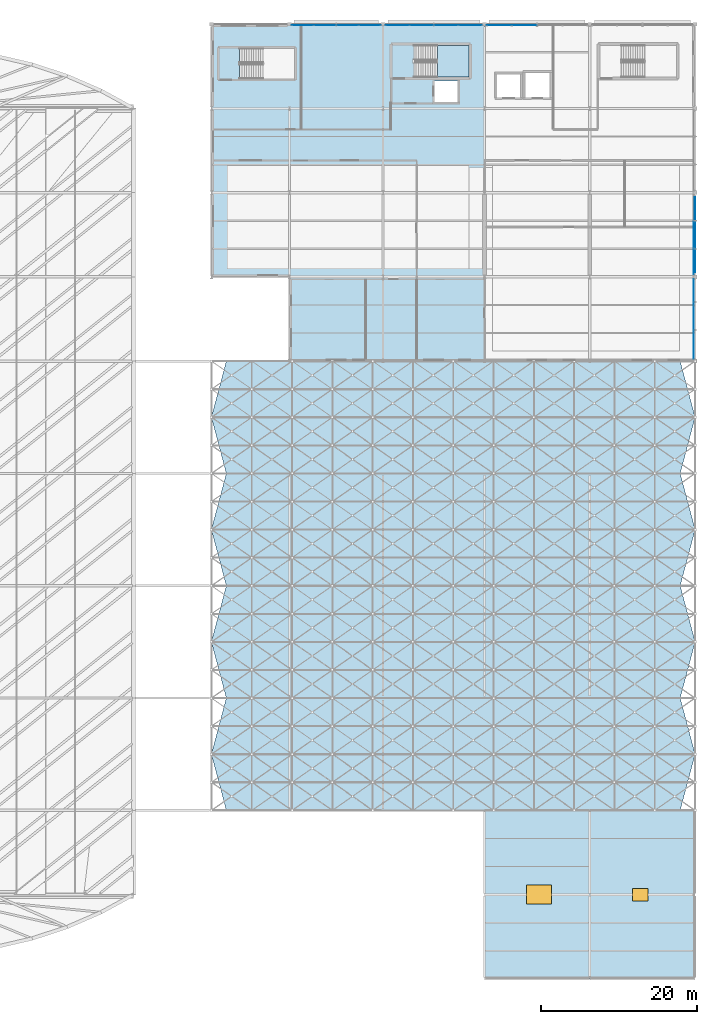
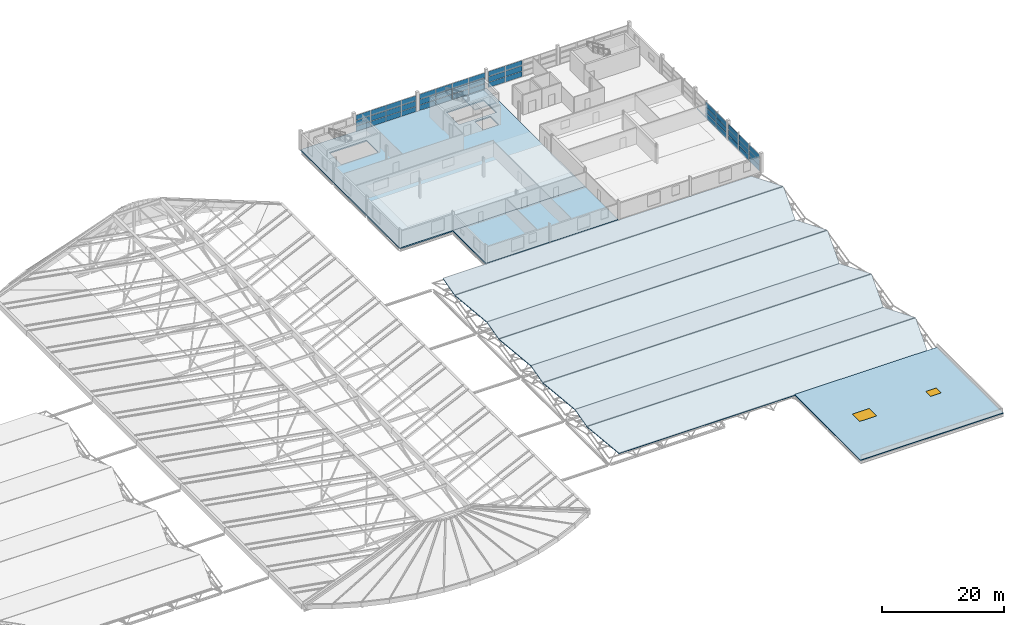
# One storey, part 71 of 110: 46 plates, 12 slabs, 2 windows, 2 openings, 6 elements without a shape of their own.
"""IFC4 building model written with IfcOpenShell, lengths in metres."""

from ifc_helpers import new_model, si_unit, direction, frame, origin, origin_2d, place, context, subcontext, project, spatial, polyline, rectangle, outline, extrude, material, layer, layer_set, type_object, element, fill, aggregate, save


model = new_model("IFC4")

# Units and contexts
model_context = context("Model", 3, precision=1e-05, world=origin(), true_north=direction((0.0, 1.0)))
body_context = subcontext(model_context, "Body", "Model", "MODEL_VIEW")
ifc_project = project(units=[si_unit("LENGTHUNIT", "METRE"), si_unit("AREAUNIT", "SQUARE_METRE"), si_unit("VOLUMEUNIT", "CUBIC_METRE"), si_unit("PLANEANGLEUNIT", "RADIAN"), si_unit("MASSUNIT", "GRAM", prefix="KILO")], contexts=[model_context])

# Site, building, storey
site_placement = place(None, origin())
site = spatial("IfcSite", under=ifc_project, at=site_placement, CompositionType="ELEMENT")
building_placement = place(site_placement, origin())
building = spatial("IfcBuilding", under=site, at=building_placement, Name="Tamarisk Ironworks Central Station", CompositionType="ELEMENT")
storey_placement = place(building_placement, frame((0.0, 0.0, 17.39990234375)))
storey = spatial("IfcBuildingStorey", under=building, at=storey_placement, Name="L03", CompositionType="ELEMENT", Elevation=17.39990234375)

# Curtain wall, plates
ifc_material_1 = material(Name="Anodized aluminium alloy 6063-T6", Category="aluminium")
ifc_layer_1 = layer(ifc_material_1, 0.179931640625)
ifc_layer_set_1 = layer_set([ifc_layer_1], Name="Anodized aluminium alloy 6063-T6")
curtain_wall_type_1 = type_object("IfcCurtainWallType", Name="CW-18", PredefinedType="USERDEFINED", material=ifc_layer_set_1)
curtain_wall_1_placement = place(storey_placement, origin())
curtain_wall_1 = element("IfcCurtainWall", 1, at=curtain_wall_1_placement, inside=storey, type_object=curtain_wall_type_1, Name="Operations L03 north facade curtain wall 128", ObjectType="GLAZED CURTAIN WALL", PredefinedType="USERDEFINED")
ifc_material_2 = material(Name="Laminated solar-control low-E glass", Category="glass")
ifc_layer_2 = layer(ifc_material_2, 0.028076171875)
ifc_layer_set_2 = layer_set([ifc_layer_2], Name="Laminated solar-control low-E glass")
plate_type_1 = type_object("IfcPlateType", Name="PL-CWP28", PredefinedType="CURTAIN_PANEL", material=ifc_layer_set_2)
plate_1_placement = place(storey_placement, frame((129.704833984375, 122.25, 0.069091796875), z_axis=(0.0, 0.0, 1.0), x_axis=(1.0, 0.0, 0.0)))
plate_1 = element("IfcPlate", 2, at=plate_1_placement, type_object=plate_type_1, Name="CW18 panel 1.1", PredefinedType="CURTAIN_PANEL", context=body_context, shape_type="SweptSolid", body=[
    extrude(rectangle(XDim=2.775390625, YDim=0.028076171875, at=origin_2d()), origin(), (0.0, 0.0, 1.0), 1.01953125),
])
plate_2_placement = place(storey_placement, frame((129.704833984375, 122.25, 1.15185546875), z_axis=(0.0, 0.0, 1.0), x_axis=(1.0, 0.0, 0.0)))
plate_2 = element("IfcPlate", 3, at=plate_2_placement, type_object=plate_type_1, Name="CW18 panel 1.2", PredefinedType="CURTAIN_PANEL", context=body_context, shape_type="SweptSolid", body=[
    extrude(rectangle(XDim=2.775390625, YDim=0.028076171875, at=origin_2d()), origin(), (0.0, 0.0, 1.0), 1.056884765625),
])
plate_3_placement = place(storey_placement, frame((129.704833984375, 122.25, 2.271484375), z_axis=(0.0, 0.0, 1.0), x_axis=(1.0, 0.0, 0.0)))
plate_3 = element("IfcPlate", 4, at=plate_3_placement, type_object=plate_type_1, Name="CW18 panel 1.3", PredefinedType="CURTAIN_PANEL", context=body_context, shape_type="SweptSolid", body=[
    extrude(rectangle(XDim=2.775390625, YDim=0.028076171875, at=origin_2d()), origin(), (0.0, 0.0, 1.0), 1.01953125),
])
plate_4_placement = place(storey_placement, frame((132.56201171875, 122.25, 0.069091796875), z_axis=(0.0, 0.0, 1.0), x_axis=(1.0, 0.0, 0.0)))
plate_4 = element("IfcPlate", 5, at=plate_4_placement, type_object=plate_type_1, Name="CW18 panel 2.1", PredefinedType="CURTAIN_PANEL", context=body_context, shape_type="SweptSolid", body=[
    extrude(rectangle(XDim=2.81298828125, YDim=0.028076171875, at=origin_2d()), origin(), (0.0, 0.0, 1.0), 1.01953125),
])
plate_5_placement = place(storey_placement, frame((132.56201171875, 122.25, 1.15185546875), z_axis=(0.0, 0.0, 1.0), x_axis=(1.0, 0.0, 0.0)))
plate_5 = element("IfcPlate", 6, at=plate_5_placement, type_object=plate_type_1, Name="CW18 panel 2.2", PredefinedType="CURTAIN_PANEL", context=body_context, shape_type="SweptSolid", body=[
    extrude(rectangle(XDim=2.81298828125, YDim=0.028076171875, at=origin_2d()), origin(), (0.0, 0.0, 1.0), 1.056884765625),
])
plate_6_placement = place(storey_placement, frame((132.56201171875, 122.25, 2.271484375), z_axis=(0.0, 0.0, 1.0), x_axis=(1.0, 0.0, 0.0)))
plate_6 = element("IfcPlate", 7, at=plate_6_placement, type_object=plate_type_1, Name="CW18 panel 2.3", PredefinedType="CURTAIN_PANEL", context=body_context, shape_type="SweptSolid", body=[
    extrude(rectangle(XDim=2.81298828125, YDim=0.028076171875, at=origin_2d()), origin(), (0.0, 0.0, 1.0), 1.01953125),
])
plate_7_placement = place(storey_placement, frame((135.43798828125, 122.25, 0.069091796875), z_axis=(0.0, 0.0, 1.0), x_axis=(1.0, 0.0, 0.0)))
plate_7 = element("IfcPlate", 8, at=plate_7_placement, type_object=plate_type_1, Name="CW18 panel 3.1", PredefinedType="CURTAIN_PANEL", context=body_context, shape_type="SweptSolid", body=[
    extrude(rectangle(XDim=2.81298828125, YDim=0.028076171875, at=origin_2d()), origin(), (0.0, 0.0, 1.0), 1.01953125),
])
plate_8_placement = place(storey_placement, frame((135.43798828125, 122.25, 1.15185546875), z_axis=(0.0, 0.0, 1.0), x_axis=(1.0, 0.0, 0.0)))
plate_8 = element("IfcPlate", 9, at=plate_8_placement, type_object=plate_type_1, Name="CW18 panel 3.2", PredefinedType="CURTAIN_PANEL", context=body_context, shape_type="SweptSolid", body=[
    extrude(rectangle(XDim=2.81298828125, YDim=0.028076171875, at=origin_2d()), origin(), (0.0, 0.0, 1.0), 1.056884765625),
])
plate_9_placement = place(storey_placement, frame((135.43798828125, 122.25, 2.271484375), z_axis=(0.0, 0.0, 1.0), x_axis=(1.0, 0.0, 0.0)))
plate_9 = element("IfcPlate", 10, at=plate_9_placement, type_object=plate_type_1, Name="CW18 panel 3.3", PredefinedType="CURTAIN_PANEL", context=body_context, shape_type="SweptSolid", body=[
    extrude(rectangle(XDim=2.81298828125, YDim=0.028076171875, at=origin_2d()), origin(), (0.0, 0.0, 1.0), 1.01953125),
])
plate_10_placement = place(storey_placement, frame((138.295166015625, 122.25, 0.069091796875), z_axis=(0.0, 0.0, 1.0), x_axis=(1.0, 0.0, 0.0)))
plate_10 = element("IfcPlate", 11, at=plate_10_placement, type_object=plate_type_1, Name="CW18 panel 4.1", PredefinedType="CURTAIN_PANEL", context=body_context, shape_type="SweptSolid", body=[
    extrude(rectangle(XDim=2.775390625, YDim=0.028076171875, at=origin_2d()), origin(), (0.0, 0.0, 1.0), 1.01953125),
])
plate_11_placement = place(storey_placement, frame((138.295166015625, 122.25, 1.15185546875), z_axis=(0.0, 0.0, 1.0), x_axis=(1.0, 0.0, 0.0)))
plate_11 = element("IfcPlate", 12, at=plate_11_placement, type_object=plate_type_1, Name="CW18 panel 4.2", PredefinedType="CURTAIN_PANEL", context=body_context, shape_type="SweptSolid", body=[
    extrude(rectangle(XDim=2.775390625, YDim=0.028076171875, at=origin_2d()), origin(), (0.0, 0.0, 1.0), 1.056884765625),
])
plate_12_placement = place(storey_placement, frame((138.295166015625, 122.25, 2.271484375), z_axis=(0.0, 0.0, 1.0), x_axis=(1.0, 0.0, 0.0)))
plate_12 = element("IfcPlate", 13, at=plate_12_placement, type_object=plate_type_1, Name="CW18 panel 4.3", PredefinedType="CURTAIN_PANEL", context=body_context, shape_type="SweptSolid", body=[
    extrude(rectangle(XDim=2.775390625, YDim=0.028076171875, at=origin_2d()), origin(), (0.0, 0.0, 1.0), 1.01953125),
])
aggregate(curtain_wall_1, [plate_1, plate_2, plate_3, plate_4, plate_5, plate_6, plate_7, plate_8, plate_9, plate_10, plate_11, plate_12])

curtain_wall_2_placement = place(storey_placement, origin())
curtain_wall_2 = element("IfcCurtainWall", 14, at=curtain_wall_2_placement, inside=storey, type_object=curtain_wall_type_1, Name="Operations L03 north facade curtain wall 140", ObjectType="GLAZED CURTAIN WALL", PredefinedType="USERDEFINED")
plate_13_placement = place(storey_placement, frame((141.829833984375, 122.25, 0.069091796875), z_axis=(0.0, 0.0, 1.0), x_axis=(1.0, 0.0, 0.0)))
plate_13 = element("IfcPlate", 15, at=plate_13_placement, type_object=plate_type_1, Name="CW18 panel 1.1", PredefinedType="CURTAIN_PANEL", context=body_context, shape_type="SweptSolid", body=[
    extrude(rectangle(XDim=3.025390625, YDim=0.028076171875, at=origin_2d()), origin(), (0.0, 0.0, 1.0), 1.01953125),
])
plate_14_placement = place(storey_placement, frame((141.829833984375, 122.25, 1.15185546875), z_axis=(0.0, 0.0, 1.0), x_axis=(1.0, 0.0, 0.0)))
plate_14 = element("IfcPlate", 16, at=plate_14_placement, type_object=plate_type_1, Name="CW18 panel 1.2", PredefinedType="CURTAIN_PANEL", context=body_context, shape_type="SweptSolid", body=[
    extrude(rectangle(XDim=3.025390625, YDim=0.028076171875, at=origin_2d()), origin(), (0.0, 0.0, 1.0), 1.056884765625),
])
plate_15_placement = place(storey_placement, frame((141.829833984375, 122.25, 2.271484375), z_axis=(0.0, 0.0, 1.0), x_axis=(1.0, 0.0, 0.0)))
plate_15 = element("IfcPlate", 17, at=plate_15_placement, type_object=plate_type_1, Name="CW18 panel 1.3", PredefinedType="CURTAIN_PANEL", context=body_context, shape_type="SweptSolid", body=[
    extrude(rectangle(XDim=3.025390625, YDim=0.028076171875, at=origin_2d()), origin(), (0.0, 0.0, 1.0), 1.01953125),
])
plate_16_placement = place(storey_placement, frame((144.93701171875, 122.25, 0.069091796875), z_axis=(0.0, 0.0, 1.0), x_axis=(1.0, 0.0, 0.0)))
plate_16 = element("IfcPlate", 18, at=plate_16_placement, type_object=plate_type_1, Name="CW18 panel 2.1", PredefinedType="CURTAIN_PANEL", context=body_context, shape_type="SweptSolid", body=[
    extrude(rectangle(XDim=3.06298828125, YDim=0.028076171875, at=origin_2d()), origin(), (0.0, 0.0, 1.0), 1.01953125),
])
plate_17_placement = place(storey_placement, frame((144.93701171875, 122.25, 1.15185546875), z_axis=(0.0, 0.0, 1.0), x_axis=(1.0, 0.0, 0.0)))
plate_17 = element("IfcPlate", 19, at=plate_17_placement, type_object=plate_type_1, Name="CW18 panel 2.2", PredefinedType="CURTAIN_PANEL", context=body_context, shape_type="SweptSolid", body=[
    extrude(rectangle(XDim=3.06298828125, YDim=0.028076171875, at=origin_2d()), origin(), (0.0, 0.0, 1.0), 1.056884765625),
])
plate_18_placement = place(storey_placement, frame((144.93701171875, 122.25, 2.271484375), z_axis=(0.0, 0.0, 1.0), x_axis=(1.0, 0.0, 0.0)))
plate_18 = element("IfcPlate", 20, at=plate_18_placement, type_object=plate_type_1, Name="CW18 panel 2.3", PredefinedType="CURTAIN_PANEL", context=body_context, shape_type="SweptSolid", body=[
    extrude(rectangle(XDim=3.06298828125, YDim=0.028076171875, at=origin_2d()), origin(), (0.0, 0.0, 1.0), 1.01953125),
])
plate_19_placement = place(storey_placement, frame((148.06298828125, 122.25, 0.069091796875), z_axis=(0.0, 0.0, 1.0), x_axis=(1.0, 0.0, 0.0)))
plate_19 = element("IfcPlate", 21, at=plate_19_placement, type_object=plate_type_1, Name="CW18 panel 3.1", PredefinedType="CURTAIN_PANEL", context=body_context, shape_type="SweptSolid", body=[
    extrude(rectangle(XDim=3.06298828125, YDim=0.028076171875, at=origin_2d()), origin(), (0.0, 0.0, 1.0), 1.01953125),
])
plate_20_placement = place(storey_placement, frame((148.06298828125, 122.25, 1.15185546875), z_axis=(0.0, 0.0, 1.0), x_axis=(1.0, 0.0, 0.0)))
plate_20 = element("IfcPlate", 22, at=plate_20_placement, type_object=plate_type_1, Name="CW18 panel 3.2", PredefinedType="CURTAIN_PANEL", context=body_context, shape_type="SweptSolid", body=[
    extrude(rectangle(XDim=3.06298828125, YDim=0.028076171875, at=origin_2d()), origin(), (0.0, 0.0, 1.0), 1.056884765625),
])
plate_21_placement = place(storey_placement, frame((148.06298828125, 122.25, 2.271484375), z_axis=(0.0, 0.0, 1.0), x_axis=(1.0, 0.0, 0.0)))
plate_21 = element("IfcPlate", 23, at=plate_21_placement, type_object=plate_type_1, Name="CW18 panel 3.3", PredefinedType="CURTAIN_PANEL", context=body_context, shape_type="SweptSolid", body=[
    extrude(rectangle(XDim=3.06298828125, YDim=0.028076171875, at=origin_2d()), origin(), (0.0, 0.0, 1.0), 1.01953125),
])
plate_22_placement = place(storey_placement, frame((151.170166015625, 122.25, 0.069091796875), z_axis=(0.0, 0.0, 1.0), x_axis=(1.0, 0.0, 0.0)))
plate_22 = element("IfcPlate", 24, at=plate_22_placement, type_object=plate_type_1, Name="CW18 panel 4.1", PredefinedType="CURTAIN_PANEL", context=body_context, shape_type="SweptSolid", body=[
    extrude(rectangle(XDim=3.025390625, YDim=0.028076171875, at=origin_2d()), origin(), (0.0, 0.0, 1.0), 1.01953125),
])
plate_23_placement = place(storey_placement, frame((151.170166015625, 122.25, 1.15185546875), z_axis=(0.0, 0.0, 1.0), x_axis=(1.0, 0.0, 0.0)))
plate_23 = element("IfcPlate", 25, at=plate_23_placement, type_object=plate_type_1, Name="CW18 panel 4.2", PredefinedType="CURTAIN_PANEL", context=body_context, shape_type="SweptSolid", body=[
    extrude(rectangle(XDim=3.025390625, YDim=0.028076171875, at=origin_2d()), origin(), (0.0, 0.0, 1.0), 1.056884765625),
])
plate_24_placement = place(storey_placement, frame((151.170166015625, 122.25, 2.271484375), z_axis=(0.0, 0.0, 1.0), x_axis=(1.0, 0.0, 0.0)))
plate_24 = element("IfcPlate", 26, at=plate_24_placement, type_object=plate_type_1, Name="CW18 panel 4.3", PredefinedType="CURTAIN_PANEL", context=body_context, shape_type="SweptSolid", body=[
    extrude(rectangle(XDim=3.025390625, YDim=0.028076171875, at=origin_2d()), origin(), (0.0, 0.0, 1.0), 1.01953125),
])
aggregate(curtain_wall_2, [plate_13, plate_14, plate_15, plate_16, plate_17, plate_18, plate_19, plate_20, plate_21, plate_22, plate_23, plate_24])

curtain_wall_3_placement = place(storey_placement, origin())
curtain_wall_3 = element("IfcCurtainWall", 27, at=curtain_wall_3_placement, inside=storey, type_object=curtain_wall_type_1, Name="Operations L03 north facade curtain wall 153", ObjectType="GLAZED CURTAIN WALL", PredefinedType="USERDEFINED")
plate_25_placement = place(storey_placement, frame((154.892333984375, 122.25, 0.069091796875), z_axis=(0.0, 0.0, 1.0), x_axis=(1.0, 0.0, 0.0)))
plate_25 = element("IfcPlate", 28, at=plate_25_placement, type_object=plate_type_1, Name="CW18 panel 1.1", PredefinedType="CURTAIN_PANEL", context=body_context, shape_type="SweptSolid", body=[
    extrude(rectangle(XDim=3.150390625, YDim=0.028076171875, at=origin_2d()), origin(), (0.0, 0.0, 1.0), 1.01953125),
])
plate_26_placement = place(storey_placement, frame((154.892333984375, 122.25, 1.15185546875), z_axis=(0.0, 0.0, 1.0), x_axis=(1.0, 0.0, 0.0)))
plate_26 = element("IfcPlate", 29, at=plate_26_placement, type_object=plate_type_1, Name="CW18 panel 1.2", PredefinedType="CURTAIN_PANEL", context=body_context, shape_type="SweptSolid", body=[
    extrude(rectangle(XDim=3.150390625, YDim=0.028076171875, at=origin_2d()), origin(), (0.0, 0.0, 1.0), 1.056884765625),
])
plate_27_placement = place(storey_placement, frame((154.892333984375, 122.25, 2.271484375), z_axis=(0.0, 0.0, 1.0), x_axis=(1.0, 0.0, 0.0)))
plate_27 = element("IfcPlate", 30, at=plate_27_placement, type_object=plate_type_1, Name="CW18 panel 1.3", PredefinedType="CURTAIN_PANEL", context=body_context, shape_type="SweptSolid", body=[
    extrude(rectangle(XDim=3.150390625, YDim=0.028076171875, at=origin_2d()), origin(), (0.0, 0.0, 1.0), 1.01953125),
])
plate_28_placement = place(storey_placement, frame((158.12451171875, 122.25, 0.069091796875), z_axis=(0.0, 0.0, 1.0), x_axis=(1.0, 0.0, 0.0)))
plate_28 = element("IfcPlate", 31, at=plate_28_placement, type_object=plate_type_1, Name="CW18 panel 2.1", PredefinedType="CURTAIN_PANEL", context=body_context, shape_type="SweptSolid", body=[
    extrude(rectangle(XDim=3.18798828125, YDim=0.028076171875, at=origin_2d()), origin(), (0.0, 0.0, 1.0), 1.01953125),
])
plate_29_placement = place(storey_placement, frame((158.12451171875, 122.25, 1.15185546875), z_axis=(0.0, 0.0, 1.0), x_axis=(1.0, 0.0, 0.0)))
plate_29 = element("IfcPlate", 32, at=plate_29_placement, type_object=plate_type_1, Name="CW18 panel 2.2", PredefinedType="CURTAIN_PANEL", context=body_context, shape_type="SweptSolid", body=[
    extrude(rectangle(XDim=3.18798828125, YDim=0.028076171875, at=origin_2d()), origin(), (0.0, 0.0, 1.0), 1.056884765625),
])
plate_30_placement = place(storey_placement, frame((158.12451171875, 122.25, 2.271484375), z_axis=(0.0, 0.0, 1.0), x_axis=(1.0, 0.0, 0.0)))
plate_30 = element("IfcPlate", 33, at=plate_30_placement, type_object=plate_type_1, Name="CW18 panel 2.3", PredefinedType="CURTAIN_PANEL", context=body_context, shape_type="SweptSolid", body=[
    extrude(rectangle(XDim=3.18798828125, YDim=0.028076171875, at=origin_2d()), origin(), (0.0, 0.0, 1.0), 1.01953125),
])
aggregate(curtain_wall_3, [plate_25, plate_26, plate_27, plate_28, plate_29, plate_30])

ifc_layer_3 = layer(ifc_material_1, 0.179931640625)
ifc_layer_set_3 = layer_set([ifc_layer_3], Name="Anodized aluminium alloy 6063-T6")
curtain_wall_type_2 = type_object("IfcCurtainWallType", Name="CW-21", PredefinedType="USERDEFINED", material=ifc_layer_set_3)
curtain_wall_4_placement = place(storey_placement, origin())
curtain_wall_4 = element("IfcCurtainWall", 34, at=curtain_wall_4_placement, inside=storey, type_object=curtain_wall_type_2, Name="Operations L03 east facade curtain wall 079", ObjectType="GLAZED CURTAIN WALL", PredefinedType="USERDEFINED")
plate_31_placement = place(storey_placement, frame((179.85009765625, 81.18408203125, 0.069091796875), z_axis=(0.0, 0.0, 1.0), x_axis=(0.0, 1.0, 0.0)))
plate_31 = element("IfcPlate", 35, at=plate_31_placement, type_object=plate_type_1, Name="CW21 panel 1.1", PredefinedType="CURTAIN_PANEL", context=body_context, shape_type="SweptSolid", body=[
    extrude(rectangle(XDim=3.334228515625, YDim=0.028076171875, at=origin_2d()), origin(), (0.0, 0.0, 1.0), 1.01953125),
])
plate_32_placement = place(storey_placement, frame((179.85009765625, 81.18408203125, 1.15185546875), z_axis=(0.0, 0.0, 1.0), x_axis=(0.0, 1.0, 0.0)))
plate_32 = element("IfcPlate", 36, at=plate_32_placement, type_object=plate_type_1, Name="CW21 panel 1.2", PredefinedType="CURTAIN_PANEL", context=body_context, shape_type="SweptSolid", body=[
    extrude(rectangle(XDim=3.334228515625, YDim=0.028076171875, at=origin_2d()), origin(), (0.0, 0.0, 1.0), 1.056884765625),
])
plate_33_placement = place(storey_placement, frame((179.85009765625, 81.18408203125, 2.271484375), z_axis=(0.0, 0.0, 1.0), x_axis=(0.0, 1.0, 0.0)))
plate_33 = element("IfcPlate", 37, at=plate_33_placement, type_object=plate_type_1, Name="CW21 panel 1.3", PredefinedType="CURTAIN_PANEL", context=body_context, shape_type="SweptSolid", body=[
    extrude(rectangle(XDim=3.334228515625, YDim=0.028076171875, at=origin_2d()), origin(), (0.0, 0.0, 1.0), 1.01953125),
])
plate_34_placement = place(storey_placement, frame((179.85009765625, 84.60009765625, 0.069091796875), z_axis=(0.0, 0.0, 1.0), x_axis=(0.0, 1.0, 0.0)))
plate_34 = element("IfcPlate", 38, at=plate_34_placement, type_object=plate_type_1, Name="CW21 panel 2.1", PredefinedType="CURTAIN_PANEL", context=body_context, shape_type="SweptSolid", body=[
    extrude(rectangle(XDim=3.37158203125, YDim=0.028076171875, at=origin_2d()), origin(), (0.0, 0.0, 1.0), 1.01953125),
])
plate_35_placement = place(storey_placement, frame((179.85009765625, 84.60009765625, 1.15185546875), z_axis=(0.0, 0.0, 1.0), x_axis=(0.0, 1.0, 0.0)))
plate_35 = element("IfcPlate", 39, at=plate_35_placement, type_object=plate_type_1, Name="CW21 panel 2.2", PredefinedType="CURTAIN_PANEL", context=body_context, shape_type="SweptSolid", body=[
    extrude(rectangle(XDim=3.37158203125, YDim=0.028076171875, at=origin_2d()), origin(), (0.0, 0.0, 1.0), 1.056884765625),
])
plate_36_placement = place(storey_placement, frame((179.85009765625, 84.60009765625, 2.271484375), z_axis=(0.0, 0.0, 1.0), x_axis=(0.0, 1.0, 0.0)))
plate_36 = element("IfcPlate", 40, at=plate_36_placement, type_object=plate_type_1, Name="CW21 panel 2.3", PredefinedType="CURTAIN_PANEL", context=body_context, shape_type="SweptSolid", body=[
    extrude(rectangle(XDim=3.37158203125, YDim=0.028076171875, at=origin_2d()), origin(), (0.0, 0.0, 1.0), 1.01953125),
])
plate_37_placement = place(storey_placement, frame((179.85009765625, 88.015869140625, 0.069091796875), z_axis=(0.0, 0.0, 1.0), x_axis=(0.0, 1.0, 0.0)))
plate_37 = element("IfcPlate", 41, at=plate_37_placement, type_object=plate_type_1, Name="CW21 panel 3.1", PredefinedType="CURTAIN_PANEL", context=body_context, shape_type="SweptSolid", body=[
    extrude(rectangle(XDim=3.334228515625, YDim=0.028076171875, at=origin_2d()), origin(), (0.0, 0.0, 1.0), 1.01953125),
])
plate_38_placement = place(storey_placement, frame((179.85009765625, 88.015869140625, 1.15185546875), z_axis=(0.0, 0.0, 1.0), x_axis=(0.0, 1.0, 0.0)))
plate_38 = element("IfcPlate", 42, at=plate_38_placement, type_object=plate_type_1, Name="CW21 panel 3.2", PredefinedType="CURTAIN_PANEL", context=body_context, shape_type="SweptSolid", body=[
    extrude(rectangle(XDim=3.334228515625, YDim=0.028076171875, at=origin_2d()), origin(), (0.0, 0.0, 1.0), 1.056884765625),
])
plate_39_placement = place(storey_placement, frame((179.85009765625, 88.015869140625, 2.271484375), z_axis=(0.0, 0.0, 1.0), x_axis=(0.0, 1.0, 0.0)))
plate_39 = element("IfcPlate", 43, at=plate_39_placement, type_object=plate_type_1, Name="CW21 panel 3.3", PredefinedType="CURTAIN_PANEL", context=body_context, shape_type="SweptSolid", body=[
    extrude(rectangle(XDim=3.334228515625, YDim=0.028076171875, at=origin_2d()), origin(), (0.0, 0.0, 1.0), 1.01953125),
])
aggregate(curtain_wall_4, [plate_31, plate_32, plate_33, plate_34, plate_35, plate_36, plate_37, plate_38, plate_39])

curtain_wall_5_placement = place(storey_placement, origin())
curtain_wall_5 = element("IfcCurtainWall", 44, at=curtain_wall_5_placement, inside=storey, type_object=curtain_wall_type_2, Name="Operations L03 east facade curtain wall 090", ObjectType="GLAZED CURTAIN WALL", PredefinedType="USERDEFINED")
plate_40_placement = place(storey_placement, frame((179.85009765625, 91.984130859375, 0.069091796875), z_axis=(0.0, 0.0, 1.0), x_axis=(0.0, 1.0, 0.0)))
plate_40 = element("IfcPlate", 45, at=plate_40_placement, type_object=plate_type_1, Name="CW21 panel 1.1", PredefinedType="CURTAIN_PANEL", context=body_context, shape_type="SweptSolid", body=[
    extrude(rectangle(XDim=3.334228515625, YDim=0.028076171875, at=origin_2d()), origin(), (0.0, 0.0, 1.0), 1.01953125),
])
plate_41_placement = place(storey_placement, frame((179.85009765625, 91.984130859375, 1.15185546875), z_axis=(0.0, 0.0, 1.0), x_axis=(0.0, 1.0, 0.0)))
plate_41 = element("IfcPlate", 46, at=plate_41_placement, type_object=plate_type_1, Name="CW21 panel 1.2", PredefinedType="CURTAIN_PANEL", context=body_context, shape_type="SweptSolid", body=[
    extrude(rectangle(XDim=3.334228515625, YDim=0.028076171875, at=origin_2d()), origin(), (0.0, 0.0, 1.0), 1.056884765625),
])
plate_42_placement = place(storey_placement, frame((179.85009765625, 91.984130859375, 2.271484375), z_axis=(0.0, 0.0, 1.0), x_axis=(0.0, 1.0, 0.0)))
plate_42 = element("IfcPlate", 47, at=plate_42_placement, type_object=plate_type_1, Name="CW21 panel 1.3", PredefinedType="CURTAIN_PANEL", context=body_context, shape_type="SweptSolid", body=[
    extrude(rectangle(XDim=3.334228515625, YDim=0.028076171875, at=origin_2d()), origin(), (0.0, 0.0, 1.0), 1.01953125),
])
plate_43_placement = place(storey_placement, frame((179.85009765625, 95.39990234375, 0.069091796875), z_axis=(0.0, 0.0, 1.0), x_axis=(0.0, 1.0, 0.0)))
plate_43 = element("IfcPlate", 48, at=plate_43_placement, type_object=plate_type_1, Name="CW21 panel 2.1", PredefinedType="CURTAIN_PANEL", context=body_context, shape_type="SweptSolid", body=[
    extrude(rectangle(XDim=3.37158203125, YDim=0.028076171875, at=origin_2d()), origin(), (0.0, 0.0, 1.0), 1.01953125),
])
plate_44_placement = place(storey_placement, frame((179.85009765625, 95.39990234375, 1.15185546875), z_axis=(0.0, 0.0, 1.0), x_axis=(0.0, 1.0, 0.0)))
plate_44 = element("IfcPlate", 49, at=plate_44_placement, type_object=plate_type_1, Name="CW21 panel 2.2", PredefinedType="CURTAIN_PANEL", context=body_context, shape_type="SweptSolid", body=[
    extrude(rectangle(XDim=3.37158203125, YDim=0.028076171875, at=origin_2d()), origin(), (0.0, 0.0, 1.0), 1.056884765625),
])
plate_45_placement = place(storey_placement, frame((179.85009765625, 95.39990234375, 2.271484375), z_axis=(0.0, 0.0, 1.0), x_axis=(0.0, 1.0, 0.0)))
plate_45 = element("IfcPlate", 50, at=plate_45_placement, type_object=plate_type_1, Name="CW21 panel 2.3", PredefinedType="CURTAIN_PANEL", context=body_context, shape_type="SweptSolid", body=[
    extrude(rectangle(XDim=3.37158203125, YDim=0.028076171875, at=origin_2d()), origin(), (0.0, 0.0, 1.0), 1.01953125),
])
aggregate(curtain_wall_5, [plate_40, plate_41, plate_42, plate_43, plate_44, plate_45])

# Plate
ifc_layer_4 = layer(ifc_material_1, 0.008056640625)
ifc_layer_set_4 = layer_set([ifc_layer_4], Name="Anodized aluminium alloy 6063-T6")
plate_type_2 = type_object("IfcPlateType", Name="PL-SP08", PredefinedType="SHEET", material=ifc_layer_set_4)
plate_46_placement = place(storey_placement, frame((179.998046875, 95.39990234375, -0.23974609375), z_axis=(0.0, 0.0, 1.0), x_axis=(1.0, 0.0, 0.0)))
element("IfcPlate", 51, at=plate_46_placement, inside=storey, type_object=plate_type_2, Name="L03 east anodised spandrel fascia plate 013", PredefinedType="SHEET", context=body_context, shape_type="SweptSolid", body=[
    extrude(rectangle(XDim=0.008056640625, YDim=9.60009765625, at=origin_2d()), origin(), (0.0, 0.0, 1.0), 0.239990234375),
])

# Slabs
ifc_material_3 = material(Name="Concrete C35/45", Category="concrete")
ifc_layer_5 = layer(ifc_material_3, 0.25)
ifc_layer_set_5 = layer_set([ifc_layer_5], Name="Concrete C35/45")
slab_type_1 = type_object("IfcSlabType", Name="SL-FL250", PredefinedType="FLOOR", material=ifc_layer_set_5)
slab_1_placement = place(storey_placement, frame((0.0, 0.0, -0.25)))
element("IfcSlab", 52, at=slab_1_placement, inside=storey, type_object=slab_type_1, Name="L03 Signalling and Control Floor Slab V5-NW", PredefinedType="FLOOR", context=body_context, shape_type="SweptSolid", body=[
    extrude(outline(polyline([(118.0, 90.0), (153.0, 90.0), (153.0, 122.39990234375), (118.0, 122.39990234375), (118.0, 90.0)]), holes=[polyline([(143.949951171875, 115.60009765625), (151.0, 115.60009765625), (151.0, 119.699951171875), (143.949951171875, 119.699951171875), (143.949951171875, 115.60009765625)]), polyline([(121.60009765625, 115.39990234375), (128.64990234375, 115.39990234375), (128.64990234375, 119.300048828125), (121.60009765625, 119.300048828125), (121.60009765625, 115.39990234375)]), polyline([(146.60009765625, 112.39990234375), (149.60009765625, 112.39990234375), (149.60009765625, 115.10009765625), (146.60009765625, 115.10009765625), (146.60009765625, 112.39990234375)])]), origin(), (0.0, 0.0, 1.0), 0.25),
])
slab_2_placement = place(storey_placement, frame((0.0, 0.0, -0.25)))
element("IfcSlab", 53, at=slab_2_placement, inside=storey, type_object=slab_type_1, Name="L03 Signalling and Control Floor Slab V5-NC", PredefinedType="FLOOR", context=body_context, shape_type="SweptSolid", body=[
    extrude(outline(polyline([(128.0, 79.199951171875), (153.0, 79.199951171875), (153.0, 90.0), (128.0, 90.0), (128.0, 79.199951171875)])), origin(), (0.0, 0.0, 1.0), 0.25),
])

# Stair, slab
stair_type = type_object("IfcStairType", Name="ST-CORE-A", PredefinedType="HALF_TURN_STAIR", material=ifc_material_3)
stair_placement = place(storey_placement, origin())
stair = element("IfcStair", 54, at=stair_placement, inside=storey, type_object=stair_type, Name="L03 Firefighting Exit Stair Core 1", PredefinedType="HALF_TURN_STAIR")
ifc_layer_6 = layer(ifc_material_3, 0.215087890625)
ifc_layer_set_6 = layer_set([ifc_layer_6], Name="Concrete C35/45")
slab_type_2 = type_object("IfcSlabType", Name="SL-LD220", PredefinedType="LANDING", material=ifc_layer_set_6)
slab_3_placement = place(storey_placement, frame((0.0, 0.0, 1.75)))
slab_3 = element("IfcSlab", 55, at=slab_3_placement, type_object=slab_type_2, Name="ST-C1 landing 1", PredefinedType="LANDING", context=body_context, shape_type="SweptSolid", body=[
    extrude(outline(polyline([(146.949951171875, 115.60009765625), (151.0, 115.60009765625), (151.0, 119.699951171875), (146.949951171875, 119.699951171875), (146.949951171875, 115.60009765625)])), origin(), (0.0, 0.0, 1.0), 0.2001953125),
])
aggregate(stair, [slab_3])

# Slab, openings, windows
ifc_layer_7 = layer(ifc_material_3, 0.159912109375)
ifc_layer_set_7 = layer_set([ifc_layer_7], Name="Concrete C35/45")
slab_type_3 = type_object("IfcSlabType", Name="SL-RF160", PredefinedType="ROOF", material=ifc_layer_set_7)
slab_4_placement = place(storey_placement, frame((0.0, 0.0, -0.159912109375)))
slab_4 = element("IfcSlab", 56, at=slab_4_placement, inside=storey, type_object=slab_type_3, Name="L03 South-East Wing Roof Slab", PredefinedType="ROOF", context=body_context, shape_type="SweptSolid", body=[
    extrude(outline(polyline([(153.0, 0.0), (180.0, 0.0), (180.0, 21.60009765625), (153.0, 21.60009765625), (153.0, 0.0)])), origin(), (0.0, 0.0, 1.0), 0.159912109375),
])
opening_1_placement = place(slab_4_placement, frame((160.0, 10.800048828125, 0.0)))
opening_1 = element("IfcOpeningElement", 57, at=opening_1_placement, cuts=slab_4, Name="Opening SK01", PredefinedType="OPENING", context=body_context, shape_type="SweptSolid", body=[
    extrude(rectangle(XDim=3.199951171875, YDim=2.39990234375, at=origin_2d()), frame((0.0, 0.0, -0.011962890625)), (0.0, 0.0, 1.0), 0.183837890625),
])
opening_2_placement = place(slab_4_placement, frame((173.0, 10.800048828125, 0.0)))
opening_2 = element("IfcOpeningElement", 58, at=opening_2_placement, cuts=slab_4, Name="Opening SK04", PredefinedType="OPENING", context=body_context, shape_type="SweptSolid", body=[
    extrude(rectangle(XDim=2.0, YDim=1.60009765625, at=origin_2d()), frame((0.0, 0.0, -0.011962890625)), (0.0, 0.0, 1.0), 0.183837890625),
])
window_type_1 = type_object("IfcWindowType", Name="SK-01", PartitioningType="SINGLE_PANEL", PredefinedType="SKYLIGHT", material=ifc_material_2)
window_1_placement = place(opening_1_placement, frame((0.0, 0.0, 0.10498046875)))
window_1 = element("IfcWindow", 59, at=window_1_placement, inside=storey, type_object=window_type_1, Name="L03 roof skylight 007", OverallHeight=2.39990234375, OverallWidth=3.199951171875, PartitioningType="SINGLE_PANEL", PredefinedType="SKYLIGHT", context=body_context, shape_type="SweptSolid", body=[
    extrude(rectangle(XDim=3.199951171875, YDim=2.39990234375, at=origin_2d()), origin(), (0.0, 0.0, 1.0), 0.050048828125),
])
fill(opening_1, window_1)
window_type_2 = type_object("IfcWindowType", Name="SK-04", PartitioningType="SINGLE_PANEL", PredefinedType="SKYLIGHT", material=ifc_material_2)
window_2_placement = place(opening_2_placement, frame((0.0, 0.0, 0.10498046875)))
window_2 = element("IfcWindow", 60, at=window_2_placement, inside=storey, type_object=window_type_2, Name="L03 roof skylight 008", OverallHeight=1.60009765625, OverallWidth=2.0, PartitioningType="SINGLE_PANEL", PredefinedType="SKYLIGHT", context=body_context, shape_type="SweptSolid", body=[
    extrude(rectangle(XDim=2.0, YDim=1.60009765625, at=origin_2d()), origin(), (0.0, 0.0, 1.0), 0.050048828125),
])
fill(opening_2, window_2)

# Slabs
slab_5_placement = place(storey_placement, frame((119.89990234375, 21.60009765625, -0.164794921875), z_axis=(0.0, -0.22335110453, 0.974738059227), x_axis=(1.0, 0.0, 0.0)))
element("IfcSlab", 61, at=slab_5_placement, inside=storey, type_object=slab_type_3, Name="Train shed sloped roof deck EAST-1S", PredefinedType="ROOF", context=body_context, shape_type="SweptSolid", body=[
    extrude(outline(polyline([(0.0, 0.0), (58.2001953125, 0.0), (60.10009765625, 7.3301944698021755), (-1.89990234375, 7.3301944698021755), (0.0, 0.0)])), origin(), (0.0, 0.0, -1.0), 0.159912109375),
])
slab_6_placement = place(storey_placement, frame((118.0, 28.85498046875, 1.472412109375), z_axis=(0.0, 0.22335110453, 0.974738059227), x_axis=(1.0, 0.0, 0.0)))
element("IfcSlab", 62, at=slab_6_placement, inside=storey, type_object=slab_type_3, Name="Train shed sloped roof deck EAST-1N", PredefinedType="ROOF", context=body_context, shape_type="SweptSolid", body=[
    extrude(outline(polyline([(0.0, 0.0), (62.0, 0.0), (60.10009765625, 7.3301944698021755), (1.89990234375, 7.3301944698021755), (0.0, 0.0)])), origin(), (0.0, 0.0, -1.0), 0.159912109375),
])
slab_7_placement = place(storey_placement, frame((119.89990234375, 36.0, -0.164794921875), z_axis=(0.0, -0.22335110453, 0.974738059227), x_axis=(1.0, 0.0, 0.0)))
element("IfcSlab", 63, at=slab_7_placement, inside=storey, type_object=slab_type_3, Name="Train shed sloped roof deck EAST-2S", PredefinedType="ROOF", context=body_context, shape_type="SweptSolid", body=[
    extrude(outline(polyline([(0.0, 0.0), (58.2001953125, 0.0), (60.10009765625, 7.3301944698021755), (-1.89990234375, 7.3301944698021755), (0.0, 0.0)])), origin(), (0.0, 0.0, -1.0), 0.159912109375),
])
slab_8_placement = place(storey_placement, frame((118.0, 43.2548828125, 1.472412109375), z_axis=(0.0, 0.22335110453, 0.974738059227), x_axis=(1.0, 0.0, 0.0)))
element("IfcSlab", 64, at=slab_8_placement, inside=storey, type_object=slab_type_3, Name="Train shed sloped roof deck EAST-2N", PredefinedType="ROOF", context=body_context, shape_type="SweptSolid", body=[
    extrude(outline(polyline([(0.0, 0.0), (62.0, 0.0), (60.10009765625, 7.3301944698021755), (1.89990234375, 7.3301944698021755), (0.0, 0.0)])), origin(), (0.0, 0.0, -1.0), 0.159912109375),
])
slab_9_placement = place(storey_placement, frame((119.89990234375, 50.39990234375, -0.164794921875), z_axis=(0.0, -0.22335110453, 0.974738059227), x_axis=(1.0, 0.0, 0.0)))
element("IfcSlab", 65, at=slab_9_placement, inside=storey, type_object=slab_type_3, Name="Train shed sloped roof deck EAST-3S", PredefinedType="ROOF", context=body_context, shape_type="SweptSolid", body=[
    extrude(outline(polyline([(0.0, 0.0), (58.2001953125, 0.0), (60.10009765625, 7.3301944698021755), (-1.89990234375, 7.3301944698021755), (0.0, 0.0)])), origin(), (0.0, 0.0, -1.0), 0.159912109375),
])
slab_10_placement = place(storey_placement, frame((118.0, 57.655029296875, 1.472412109375), z_axis=(0.0, 0.22335110453, 0.974738059227), x_axis=(1.0, 0.0, 0.0)))
element("IfcSlab", 66, at=slab_10_placement, inside=storey, type_object=slab_type_3, Name="Train shed sloped roof deck EAST-3N", PredefinedType="ROOF", context=body_context, shape_type="SweptSolid", body=[
    extrude(outline(polyline([(0.0, 0.0), (62.0, 0.0), (60.10009765625, 7.3301944698021755), (1.89990234375, 7.3301944698021755), (0.0, 0.0)])), origin(), (0.0, 0.0, -1.0), 0.159912109375),
])
slab_11_placement = place(storey_placement, frame((119.89990234375, 64.800048828125, -0.164794921875), z_axis=(0.0, -0.22335110453, 0.974738059227), x_axis=(1.0, 0.0, 0.0)))
element("IfcSlab", 67, at=slab_11_placement, inside=storey, type_object=slab_type_3, Name="Train shed sloped roof deck EAST-4S", PredefinedType="ROOF", context=body_context, shape_type="SweptSolid", body=[
    extrude(outline(polyline([(0.0, 0.0), (58.2001953125, 0.0), (60.10009765625, 7.3301944698021755), (-1.89990234375, 7.3301944698021755), (0.0, 0.0)])), origin(), (0.0, 0.0, -1.0), 0.159912109375),
])
slab_12_placement = place(storey_placement, frame((118.0, 72.054931640625, 1.472412109375), z_axis=(0.0, 0.22335110453, 0.974738059227), x_axis=(1.0, 0.0, 0.0)))
element("IfcSlab", 68, at=slab_12_placement, inside=storey, type_object=slab_type_3, Name="Train shed sloped roof deck EAST-4N", PredefinedType="ROOF", context=body_context, shape_type="SweptSolid", body=[
    extrude(outline(polyline([(0.0, 0.0), (62.0, 0.0), (60.10009765625, 7.3301944698021755), (1.89990234375, 7.3301944698021755), (0.0, 0.0)])), origin(), (0.0, 0.0, -1.0), 0.159912109375),
])

save(model, "model.ifc")
